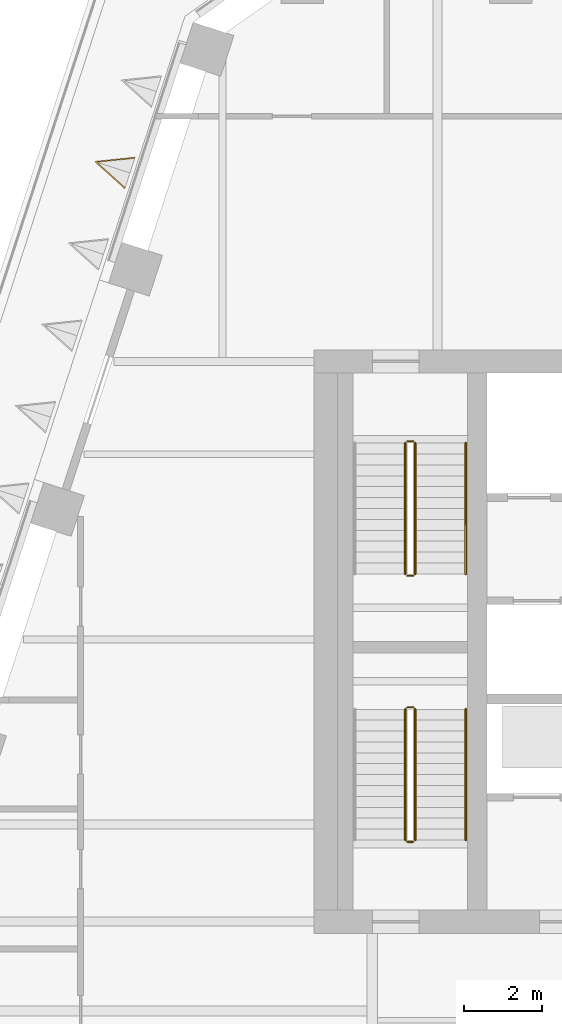
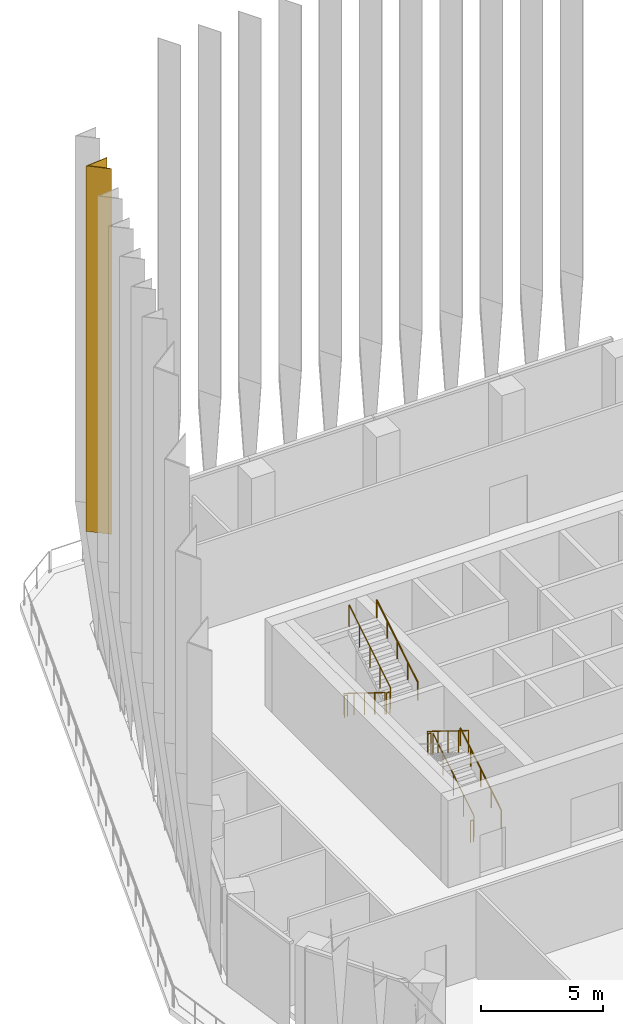
# One storey, part 15 of 21: 10 railings, 1 covering.
"""IFC4 building model written with IfcOpenShell, lengths in metres."""

from ifc_helpers import new_model, si_unit, direction, frame, origin, origin_2d, place, context, subcontext, project, spatial, polyline, circle, outline, extrude, material, material_profile, profile_set, type_object, element, save


model = new_model("IFC4")

# Units and contexts
model_context = context("Model", 3, precision=1e-05, world=origin(), true_north=direction((0.0, 1.0)))
body_context = subcontext(model_context, "Body", "Model", "MODEL_VIEW")
ifc_project = project(units=[si_unit("LENGTHUNIT", "METRE"), si_unit("AREAUNIT", "SQUARE_METRE"), si_unit("VOLUMEUNIT", "CUBIC_METRE"), si_unit("PLANEANGLEUNIT", "RADIAN"), si_unit("MASSUNIT", "GRAM", prefix="KILO")], contexts=[model_context])

# Site, building, storey
site_placement = place(None, origin())
site = spatial("IfcSite", under=ifc_project, at=site_placement, CompositionType="ELEMENT")
building_placement = place(site_placement, origin())
building = spatial("IfcBuilding", under=site, at=building_placement, Name="Isthmus Gate Tower", CompositionType="ELEMENT")
storey_placement = place(building_placement, frame((0.0, 0.0, 211.800048828125)))
storey = spatial("IfcBuildingStorey", under=building, at=storey_placement, Name="L53", CompositionType="ELEMENT", Elevation=211.800048828125)

# Covering
ifc_material_1 = material(Name="Structural steel ASTM A572 Gr 50, white paint system", Category="steel")
ifc_material_profile = material_profile(ifc_material_1, outline(polyline([(0.0, -0.427490234375), (0.9599609375, 0.0), (0.0, 0.427490234375), (0.0, 0.39453125), (0.88623046875, 0.0), (0.0, -0.39453125), (0.0, -0.427490234375)])), Name="V960")
ifc_profile_set = profile_set([ifc_material_profile], Name="Structural steel ASTM A572 Gr 50, white paint system")
covering_type = type_object("IfcCoveringType", Name="FIN V 960 DEEP", PredefinedType="CLADDING", material=ifc_profile_set)
covering_placement = place(storey_placement, frame((-19.72998046875, 19.544189453125, 7.75), z_axis=(0.0, 0.0, 1.0), x_axis=(-0.951056516295, 0.309016994375, 0.0)))
element("IfcCovering", 1, at=covering_placement, inside=storey, type_object=covering_type, Name="FIN", ObjectType="FIN", PredefinedType="CLADDING", context=body_context, shape_type="SweptSolid", body=[
    extrude(outline(polyline([(0.0, -0.427490234375), (0.9599609375, 0.0), (0.0, 0.427490234375), (0.0, 0.39453125), (0.88623046875, 0.0), (0.0, -0.39453125), (0.0, -0.427490234375)])), origin(), (0.0, 0.0, 1.0), 18.25),
])

# Railings
ifc_material_2 = material(Name="Stainless steel balustrade", Category="steel")
railing_type_1 = type_object("IfcRailingType", Name="STAIR GUARD 1100", PredefinedType="GUARDRAIL", material=ifc_material_2)
railing_1_placement = place(storey_placement, frame((-12.64990234375, 12.60009765625, 0.173095703125)))
element("IfcRailing", 2, at=railing_1_placement, inside=storey, type_object=railing_type_1, Name="L53 ST1 stair guard 1", PredefinedType="GUARDRAIL", context=body_context, shape_type="SweptSolid", body=[
    extrude(circle(Radius=0.02392578125, at=origin_2d()), frame((0.0, 0.0, 1.076171875), z_axis=(0.0, -0.850623216509, 0.525775754039), x_axis=(1.0, 0.0, 0.0)), (0.0, 0.0, 1.0), 3.9501953125),
    extrude(circle(Radius=0.02099609375, at=origin_2d()), origin(), (0.0, 0.0, 1.0), 1.052001953125),
    extrude(circle(Radius=0.02099609375, at=origin_2d()), frame((0.0, -0.840087890625, 0.519287109375)), (0.0, 0.0, 1.0), 1.052001953125),
    extrude(circle(Radius=0.02099609375, at=origin_2d()), frame((0.0, -1.68017578125, 1.03857421875)), (0.0, 0.0, 1.0), 1.052001953125),
    extrude(circle(Radius=0.02099609375, at=origin_2d()), frame((0.0, -2.52001953125, 1.5576171875)), (0.0, 0.0, 1.0), 1.052001953125),
    extrude(circle(Radius=0.02099609375, at=origin_2d()), frame((0.0, -3.360107421875, 2.076904296875)), (0.0, 0.0, 1.0), 1.052001953125),
])
railing_2_placement = place(storey_placement, frame((-12.60009765625, 9.18994140625, 2.25)))
element("IfcRailing", 3, at=railing_2_placement, inside=storey, type_object=railing_type_1, Name="L53 ST1 stair guard 2", PredefinedType="GUARDRAIL", context=body_context, shape_type="SweptSolid", body=[
    extrude(circle(Radius=0.02392578125, at=origin_2d()), frame((0.0, 0.0, 1.076171875), z_axis=(1.0, 0.0, 0.0), x_axis=(0.0, 1.0, 0.0)), (0.0, 0.0, 1.0), 0.150146484375),
    extrude(circle(Radius=0.02099609375, at=origin_2d()), origin(), (0.0, 0.0, 1.0), 1.052001953125),
    extrude(circle(Radius=0.02099609375, at=origin_2d()), frame((0.150146484375, 0.0, 0.0)), (0.0, 0.0, 1.0), 1.052001953125),
])
railing_3_placement = place(storey_placement, frame((-12.39990234375, 9.239990234375, 2.423095703125)))
element("IfcRailing", 4, at=railing_3_placement, inside=storey, type_object=railing_type_1, Name="L53 ST1 stair guard 3", PredefinedType="GUARDRAIL", context=body_context, shape_type="SweptSolid", body=[
    extrude(circle(Radius=0.02392578125, at=origin_2d()), frame((0.0, 0.0, 1.076171875), z_axis=(0.0, 0.850623216509, 0.525775754039), x_axis=(-1.0, 0.0, 0.0)), (0.0, 0.0, 1.0), 3.9501953125),
    extrude(circle(Radius=0.02099609375, at=origin_2d()), origin(), (0.0, 0.0, 1.0), 1.052001953125),
    extrude(circle(Radius=0.02099609375, at=origin_2d()), frame((0.0, 0.840087890625, 0.519287109375)), (0.0, 0.0, 1.0), 1.052001953125),
    extrude(circle(Radius=0.02099609375, at=origin_2d()), frame((0.0, 1.68017578125, 1.03857421875)), (0.0, 0.0, 1.0), 1.052001953125),
    extrude(circle(Radius=0.02099609375, at=origin_2d()), frame((0.0, 2.52001953125, 1.5576171875)), (0.0, 0.0, 1.0), 1.052001953125),
    extrude(circle(Radius=0.02099609375, at=origin_2d()), frame((0.0, 3.360107421875, 2.076904296875)), (0.0, 0.0, 1.0), 1.052001953125),
])
railing_4_placement = place(storey_placement, frame((-12.60009765625, 12.64990234375, 0.0)))
element("IfcRailing", 5, at=railing_4_placement, inside=storey, type_object=railing_type_1, Name="L53 ST1 stair guard 4", PredefinedType="GUARDRAIL", context=body_context, shape_type="SweptSolid", body=[
    extrude(circle(Radius=0.02392578125, at=origin_2d()), frame((0.0, 0.0, 1.076171875), z_axis=(1.0, 0.0, 0.0), x_axis=(0.0, 1.0, 0.0)), (0.0, 0.0, 1.0), 0.150146484375),
    extrude(circle(Radius=0.02099609375, at=origin_2d()), origin(), (0.0, 0.0, 1.0), 1.052001953125),
    extrude(circle(Radius=0.02099609375, at=origin_2d()), frame((0.150146484375, 0.0, 0.0)), (0.0, 0.0, 1.0), 1.052001953125),
])
railing_5_placement = place(storey_placement, frame((-12.39990234375, 2.39990234375, 0.173095703125)))
element("IfcRailing", 6, at=railing_5_placement, inside=storey, type_object=railing_type_1, Name="L53 ST7 stair guard 1", PredefinedType="GUARDRAIL", context=body_context, shape_type="SweptSolid", body=[
    extrude(circle(Radius=0.02392578125, at=origin_2d()), frame((0.0, 0.0, 1.076171875), z_axis=(0.0, 0.850623216509, 0.525775754039), x_axis=(-1.0, 0.0, 0.0)), (0.0, 0.0, 1.0), 3.9501953125),
    extrude(circle(Radius=0.02099609375, at=origin_2d()), origin(), (0.0, 0.0, 1.0), 1.052001953125),
    extrude(circle(Radius=0.02099609375, at=origin_2d()), frame((0.0, 0.840087890625, 0.519287109375)), (0.0, 0.0, 1.0), 1.052001953125),
    extrude(circle(Radius=0.02099609375, at=origin_2d()), frame((0.0, 1.68017578125, 1.03857421875)), (0.0, 0.0, 1.0), 1.052001953125),
    extrude(circle(Radius=0.02099609375, at=origin_2d()), frame((0.0, 2.52001953125, 1.5576171875)), (0.0, 0.0, 1.0), 1.052001953125),
    extrude(circle(Radius=0.02099609375, at=origin_2d()), frame((0.0, 3.360107421875, 2.076904296875)), (0.0, 0.0, 1.0), 1.052001953125),
])
railing_6_placement = place(storey_placement, frame((-12.449951171875, 5.81005859375, 2.25)))
element("IfcRailing", 7, at=railing_6_placement, inside=storey, type_object=railing_type_1, Name="L53 ST7 stair guard 2", PredefinedType="GUARDRAIL", context=body_context, shape_type="SweptSolid", body=[
    extrude(circle(Radius=0.02392578125, at=origin_2d()), frame((0.0, 0.0, 1.076171875), z_axis=(-1.0, 0.0, 0.0), x_axis=(0.0, -1.0, 0.0)), (0.0, 0.0, 1.0), 0.150146484375),
    extrude(circle(Radius=0.02099609375, at=origin_2d()), origin(), (0.0, 0.0, 1.0), 1.052001953125),
    extrude(circle(Radius=0.02099609375, at=origin_2d()), frame((-0.150146484375, 0.0, 0.0)), (0.0, 0.0, 1.0), 1.052001953125),
])
railing_7_placement = place(storey_placement, frame((-12.64990234375, 5.760009765625, 2.423095703125)))
element("IfcRailing", 8, at=railing_7_placement, inside=storey, type_object=railing_type_1, Name="L53 ST7 stair guard 3", PredefinedType="GUARDRAIL", context=body_context, shape_type="SweptSolid", body=[
    extrude(circle(Radius=0.02392578125, at=origin_2d()), frame((0.0, 0.0, 1.076171875), z_axis=(0.0, -0.850623216509, 0.525775754039), x_axis=(1.0, 0.0, 0.0)), (0.0, 0.0, 1.0), 3.9501953125),
    extrude(circle(Radius=0.02099609375, at=origin_2d()), origin(), (0.0, 0.0, 1.0), 1.052001953125),
    extrude(circle(Radius=0.02099609375, at=origin_2d()), frame((0.0, -0.840087890625, 0.519287109375)), (0.0, 0.0, 1.0), 1.052001953125),
    extrude(circle(Radius=0.02099609375, at=origin_2d()), frame((0.0, -1.68017578125, 1.03857421875)), (0.0, 0.0, 1.0), 1.052001953125),
    extrude(circle(Radius=0.02099609375, at=origin_2d()), frame((0.0, -2.52001953125, 1.5576171875)), (0.0, 0.0, 1.0), 1.052001953125),
    extrude(circle(Radius=0.02099609375, at=origin_2d()), frame((0.0, -3.360107421875, 2.076904296875)), (0.0, 0.0, 1.0), 1.052001953125),
])
railing_8_placement = place(storey_placement, frame((-12.449951171875, 2.35009765625, 0.0)))
element("IfcRailing", 9, at=railing_8_placement, inside=storey, type_object=railing_type_1, Name="L53 ST7 stair guard 4", PredefinedType="GUARDRAIL", context=body_context, shape_type="SweptSolid", body=[
    extrude(circle(Radius=0.02392578125, at=origin_2d()), frame((0.0, 0.0, 1.076171875), z_axis=(-1.0, 0.0, 0.0), x_axis=(0.0, -1.0, 0.0)), (0.0, 0.0, 1.0), 0.150146484375),
    extrude(circle(Radius=0.02099609375, at=origin_2d()), origin(), (0.0, 0.0, 1.0), 1.052001953125),
    extrude(circle(Radius=0.02099609375, at=origin_2d()), frame((-0.150146484375, 0.0, 0.0)), (0.0, 0.0, 1.0), 1.052001953125),
])
ifc_material_3 = material(Name="Stainless steel handrail", Category="steel")
railing_type_2 = type_object("IfcRailingType", Name="STAIR HANDRAIL 900", PredefinedType="HANDRAIL", material=ifc_material_3)
for number, where, name in (
    (10, (-11.10009765625, 9.239990234375, 2.423095703125), "L53 ST1 stair handrail 2"),
    (11, (-11.10009765625, 2.39990234375, 0.173095703125), "L53 ST7 stair handrail 1"),
):
    element("IfcRailing", number, at=place(storey_placement, frame(where)), inside=storey, type_object=railing_type_2, Name=name, PredefinedType="HANDRAIL", context=body_context, shape_type="SweptSolid", body=[
        extrude(circle(Radius=0.02392578125, at=origin_2d()), frame((0.0, 0.0, 0.8759765625), z_axis=(0.0, 0.850623216509, 0.525775754039), x_axis=(-1.0, 0.0, 0.0)), (0.0, 0.0, 1.0), 3.9501953125),
        extrude(circle(Radius=0.02099609375, at=origin_2d()), origin(), (0.0, 0.0, 1.0), 0.851806640625),
        extrude(circle(Radius=0.02099609375, at=origin_2d()), frame((0.0, 0.840087890625, 0.519287109375)), (0.0, 0.0, 1.0), 0.851806640625),
        extrude(circle(Radius=0.02099609375, at=origin_2d()), frame((0.0, 1.68017578125, 1.03857421875)), (0.0, 0.0, 1.0), 0.851806640625),
        extrude(circle(Radius=0.02099609375, at=origin_2d()), frame((0.0, 2.52001953125, 1.5576171875)), (0.0, 0.0, 1.0), 0.851806640625),
        extrude(circle(Radius=0.02099609375, at=origin_2d()), frame((0.0, 3.360107421875, 2.076904296875)), (0.0, 0.0, 1.0), 0.851806640625),
    ])

save(model, "model.ifc")
